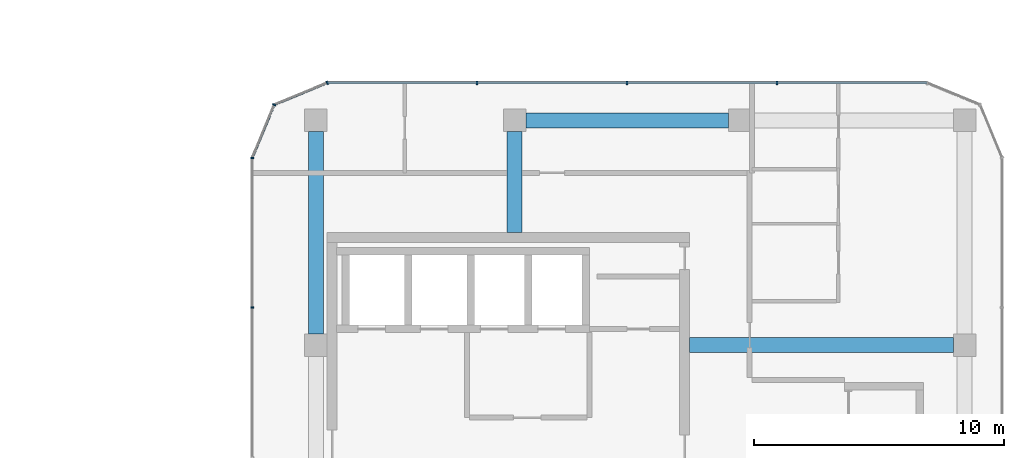
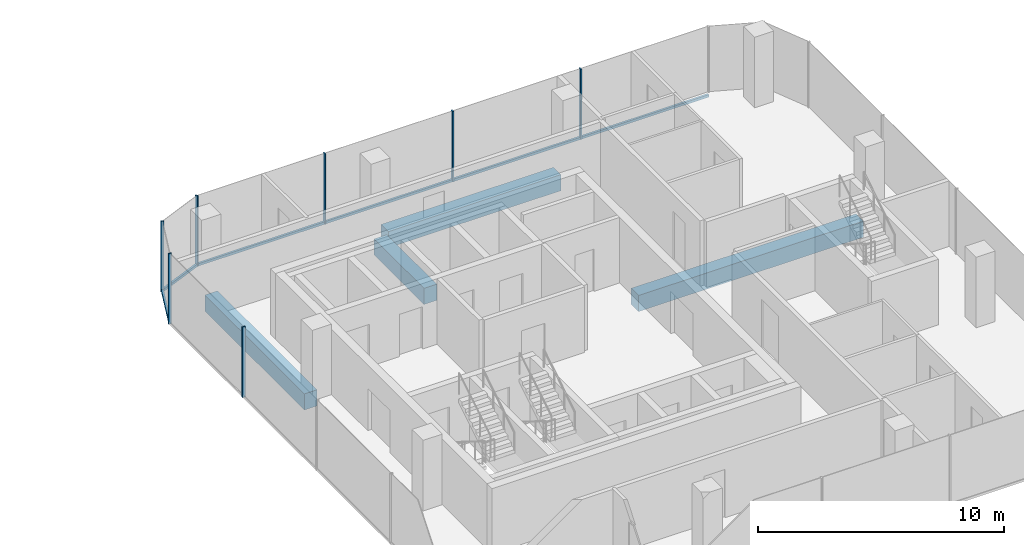
# One storey, part 9 of 22: 10 members, 4 beams, 4 elements without a shape of their own.
"""IFC4 building model written with IfcOpenShell, lengths in metres."""

from ifc_helpers import new_model, si_unit, direction, frame, origin, origin_2d, place, context, subcontext, project, spatial, rectangle, extrude, material, layer, layer_set, material_profile, profile_set, type_object, element, aggregate, save


model = new_model("IFC4")

# Units and contexts
model_context = context("Model", 3, precision=1e-05, world=origin(), true_north=direction((0.0, 1.0)))
body_context = subcontext(model_context, "Body", "Model", "MODEL_VIEW")
ifc_project = project(units=[si_unit("LENGTHUNIT", "METRE"), si_unit("AREAUNIT", "SQUARE_METRE"), si_unit("VOLUMEUNIT", "CUBIC_METRE"), si_unit("PLANEANGLEUNIT", "RADIAN"), si_unit("MASSUNIT", "GRAM", prefix="KILO")], contexts=[model_context])

# Site, building, storey
site_placement = place(None, origin())
site = spatial("IfcSite", under=ifc_project, at=site_placement, CompositionType="ELEMENT")
building_placement = place(site_placement, origin())
building = spatial("IfcBuilding", under=site, at=building_placement, Name="Plateau Cross Towers", CompositionType="ELEMENT")
storey_placement = place(building_placement, frame((0.0, 0.0, 99.300048828125)))
storey = spatial("IfcBuildingStorey", under=building, at=storey_placement, Name="L25", CompositionType="ELEMENT", Elevation=99.300048828125)

# Beams
ifc_material_1 = material(Name="Concrete C60/75", Category="concrete")
ifc_material_profile_1 = material_profile(ifc_material_1, rectangle(XDim=0.60009765625, YDim=0.800048828125, at=origin_2d()), Name="RC 600x800")
ifc_profile_set_1 = profile_set([ifc_material_profile_1], Name="Concrete C60/75")
beam_type_1 = type_object("IfcBeamType", Name="Core beam RC 600x800", PredefinedType="BEAM", material=ifc_profile_set_1)
beam_1_placement = place(storey_placement, frame((89.5, 13.5, -0.650146484375), z_axis=(1.0, 0.0, 0.0), x_axis=(0.0, 1.0, 0.0)))
element("IfcBeam", 1, at=beam_1_placement, inside=storey, type_object=beam_type_1, Name="B-CB03@L25", PredefinedType="BEAM", context=body_context, shape_type="SweptSolid", body=[
    extrude(rectangle(XDim=0.60009765625, YDim=0.800048828125, at=origin_2d()), origin(), (0.0, 0.0, 1.0), 10.550048828125),
])
beam_2_placement = place(storey_placement, frame((82.5, 18.0, -0.650146484375), z_axis=(0.0, 1.0, 0.0), x_axis=(-1.0, 0.0, 0.0)))
element("IfcBeam", 2, at=beam_2_placement, inside=storey, type_object=beam_type_1, Name="B-CB04@L25", PredefinedType="BEAM", context=body_context, shape_type="SweptSolid", body=[
    extrude(rectangle(XDim=0.60009765625, YDim=0.800048828125, at=origin_2d()), origin(), (0.0, 0.0, 1.0), 4.050048828125),
])

# Curtain wall, members
ifc_material_2 = material(Name="Dark low-iron glass", Category="glass")
ifc_layer = layer(ifc_material_2, 0.239990234375)
ifc_layer_set = layer_set([ifc_layer], Name="Dark low-iron glass")
curtain_wall_type = type_object("IfcCurtainWallType", Name="Curtain wall office unitised CW-F", PredefinedType="NOTDEFINED", material=ifc_layer_set)
curtain_wall_1_placement = place(storey_placement, origin())
curtain_wall_1 = element("IfcCurtainWall", 3, at=curtain_wall_1_placement, inside=storey, type_object=curtain_wall_type, Name="ENV/B/L25/B990_240", PredefinedType="NOTDEFINED")
ifc_material_3 = material(Name="Black anodised aluminium", Category="aluminium")
ifc_material_profile_2 = material_profile(ifc_material_3, rectangle(XDim=0.06005859375, YDim=0.139892578125, at=origin_2d()), Name="MULLION 60x140")
ifc_profile_set_2 = profile_set([ifc_material_profile_2], Name="Black anodised aluminium")
member_type_1 = type_object("IfcMemberType", Name="Mullion 60x140 office unitised", PredefinedType="MULLION", material=ifc_profile_set_2)
member_1_placement = place(storey_placement, frame((93.0, 24.0, -0.25), z_axis=(0.0, 0.0, 1.0), x_axis=(-1.0, 0.0, 0.0)))
member_1 = element("IfcMember", 4, at=member_1_placement, type_object=member_type_1, Name="CW-F mullion 2", PredefinedType="MULLION", context=body_context, shape_type="SweptSolid", body=[
    extrude(rectangle(XDim=0.06005859375, YDim=0.139892578125, at=origin_2d()), origin(), (0.0, 0.0, 1.0), 3.5),
])
member_2_placement = place(storey_placement, frame((87.0, 24.0, -0.25), z_axis=(0.0, 0.0, 1.0), x_axis=(-1.0, 0.0, 0.0)))
member_2 = element("IfcMember", 5, at=member_2_placement, type_object=member_type_1, Name="CW-F mullion 3", PredefinedType="MULLION", context=body_context, shape_type="SweptSolid", body=[
    extrude(rectangle(XDim=0.06005859375, YDim=0.139892578125, at=origin_2d()), origin(), (0.0, 0.0, 1.0), 3.5),
])
member_3_placement = place(storey_placement, frame((81.0, 24.0, -0.25), z_axis=(0.0, 0.0, 1.0), x_axis=(-1.0, 0.0, 0.0)))
member_3 = element("IfcMember", 6, at=member_3_placement, type_object=member_type_1, Name="CW-F mullion 4", PredefinedType="MULLION", context=body_context, shape_type="SweptSolid", body=[
    extrude(rectangle(XDim=0.06005859375, YDim=0.139892578125, at=origin_2d()), origin(), (0.0, 0.0, 1.0), 3.5),
])

# Curtain wall, member
curtain_wall_2_placement = place(storey_placement, origin())
curtain_wall_2 = element("IfcCurtainWall", 7, at=curtain_wall_2_placement, inside=storey, type_object=curtain_wall_type, Name="ENV/B/L25/B750_240", PredefinedType="NOTDEFINED")
member_4_placement = place(storey_placement, frame((75.0, 24.0, -0.25), z_axis=(0.0, 0.0, 1.0), x_axis=(-0.923879457699, -0.382683612978, 0.0)))
member_4 = element("IfcMember", 8, at=member_4_placement, type_object=member_type_1, Name="CW-F mullion 1", PredefinedType="MULLION", context=body_context, shape_type="SweptSolid", body=[
    extrude(rectangle(XDim=0.06005859375, YDim=0.139892578125, at=origin_2d()), origin(), (0.0, 0.0, 1.0), 3.5),
])

curtain_wall_3_placement = place(storey_placement, origin())
curtain_wall_3 = element("IfcCurtainWall", 9, at=curtain_wall_3_placement, inside=storey, type_object=curtain_wall_type, Name="ENV/B/L25/B729_231", PredefinedType="NOTDEFINED")
member_5_placement = place(storey_placement, frame((72.878662109375, 23.121337890625, -0.25), z_axis=(0.0, 0.0, 1.0), x_axis=(-0.382683612978, -0.923879457699, 0.0)))
member_5 = element("IfcMember", 10, at=member_5_placement, type_object=member_type_1, Name="CW-F mullion 1", PredefinedType="MULLION", context=body_context, shape_type="SweptSolid", body=[
    extrude(rectangle(XDim=0.06005859375, YDim=0.139892578125, at=origin_2d()), origin(), (0.0, 0.0, 1.0), 3.5),
])

# Curtain wall, members
curtain_wall_4_placement = place(storey_placement, origin())
curtain_wall_4 = element("IfcCurtainWall", 11, at=curtain_wall_4_placement, inside=storey, type_object=curtain_wall_type, Name="ENV/B/L25/B720_210", PredefinedType="NOTDEFINED")
member_6_placement = place(storey_placement, frame((72.0, 21.0, -0.25), z_axis=(0.0, 0.0, 1.0), x_axis=(0.0, -1.0, 0.0)))
member_6 = element("IfcMember", 12, at=member_6_placement, type_object=member_type_1, Name="CW-F mullion 1", PredefinedType="MULLION", context=body_context, shape_type="SweptSolid", body=[
    extrude(rectangle(XDim=0.06005859375, YDim=0.139892578125, at=origin_2d()), origin(), (0.0, 0.0, 1.0), 3.5),
])
member_7_placement = place(storey_placement, frame((72.0, 15.0, -0.25), z_axis=(0.0, 0.0, 1.0), x_axis=(0.0, -1.0, 0.0)))
member_7 = element("IfcMember", 13, at=member_7_placement, type_object=member_type_1, Name="CW-F mullion 2", PredefinedType="MULLION", context=body_context, shape_type="SweptSolid", body=[
    extrude(rectangle(XDim=0.06005859375, YDim=0.139892578125, at=origin_2d()), origin(), (0.0, 0.0, 1.0), 3.5),
])
aggregate(curtain_wall_4, [member_6, member_7])

# Beams
ifc_material_profile_3 = material_profile(ifc_material_1, rectangle(XDim=0.60009765625, YDim=0.800048828125, at=origin_2d()), Name="RC 600x800")
ifc_profile_set_3 = profile_set([ifc_material_profile_3], Name="Concrete C60/75")
beam_type_2 = type_object("IfcBeamType", Name="Ring beam RC 600x800", PredefinedType="BEAM", material=ifc_profile_set_3)
for number, where, z_axis, x_axis, name in (
    (14, (91.050048828125, 22.5, -0.650146484375), (-1.0, 0.0, 0.0), (0.0, -1.0, 0.0), "B-RB07@L25"),
    (15, (74.550048828125, 22.050048828125, -0.650146484375), (0.0, -1.0, 0.0), (1.0, 0.0, 0.0), "B-RB08@L25"),
):
    element("IfcBeam", number, at=place(storey_placement, frame(where, z_axis=z_axis, x_axis=x_axis)), inside=storey, type_object=beam_type_2, Name=name, PredefinedType="BEAM", context=body_context, shape_type="SweptSolid", body=[
        extrude(rectangle(XDim=0.60009765625, YDim=0.800048828125, at=origin_2d()), origin(), (0.0, 0.0, 1.0), 8.10009765625),
    ])

# Member
ifc_material_profile_4 = material_profile(ifc_material_3, rectangle(XDim=0.10009765625, YDim=0.1201171875, at=origin_2d()), Name="TRANSOM 100x120")
ifc_profile_set_4 = profile_set([ifc_material_profile_4], Name="Black anodised aluminium")
member_type_2 = type_object("IfcMemberType", Name="Transom 100x120 office unitised", PredefinedType="USERDEFINED", material=ifc_profile_set_4)
member_8_placement = place(storey_placement, frame((99.0, 24.0, -0.18994140625), z_axis=(-1.0, 0.0, 0.0), x_axis=(0.0, -1.0, 0.0)))
member_8 = element("IfcMember", 16, at=member_8_placement, type_object=member_type_2, Name="CW-F transom", ObjectType="TRANSOM", PredefinedType="USERDEFINED", context=body_context, shape_type="SweptSolid", body=[
    extrude(rectangle(XDim=0.10009765625, YDim=0.1201171875, at=origin_2d()), origin(), (0.0, 0.0, 1.0), 24.0),
])

aggregate(curtain_wall_1, [member_1, member_2, member_3, member_8])

member_9_placement = place(storey_placement, frame((75.0, 24.0, -0.18994140625), z_axis=(-0.923883353507, -0.382674207535, 0.0), x_axis=(0.382674207535, -0.923883353507, 0.0)))
member_9 = element("IfcMember", 17, at=member_9_placement, type_object=member_type_2, Name="CW-F transom", ObjectType="TRANSOM", PredefinedType="USERDEFINED", context=body_context, shape_type="SweptSolid", body=[
    extrude(rectangle(XDim=0.10009765625, YDim=0.1201171875, at=origin_2d()), origin(), (0.0, 0.0, 1.0), 2.296142578125),
])

aggregate(curtain_wall_2, [member_4, member_9])

member_10_placement = place(storey_placement, frame((72.878662109375, 23.121337890625, -0.18994140625), z_axis=(-0.382674207535, -0.923883353507, 0.0), x_axis=(0.923883353507, -0.382674207535, 0.0)))
member_10 = element("IfcMember", 18, at=member_10_placement, type_object=member_type_2, Name="CW-F transom", ObjectType="TRANSOM", PredefinedType="USERDEFINED", context=body_context, shape_type="SweptSolid", body=[
    extrude(rectangle(XDim=0.10009765625, YDim=0.1201171875, at=origin_2d()), origin(), (0.0, 0.0, 1.0), 2.296142578125),
])

aggregate(curtain_wall_3, [member_5, member_10])

save(model, "model.ifc")
